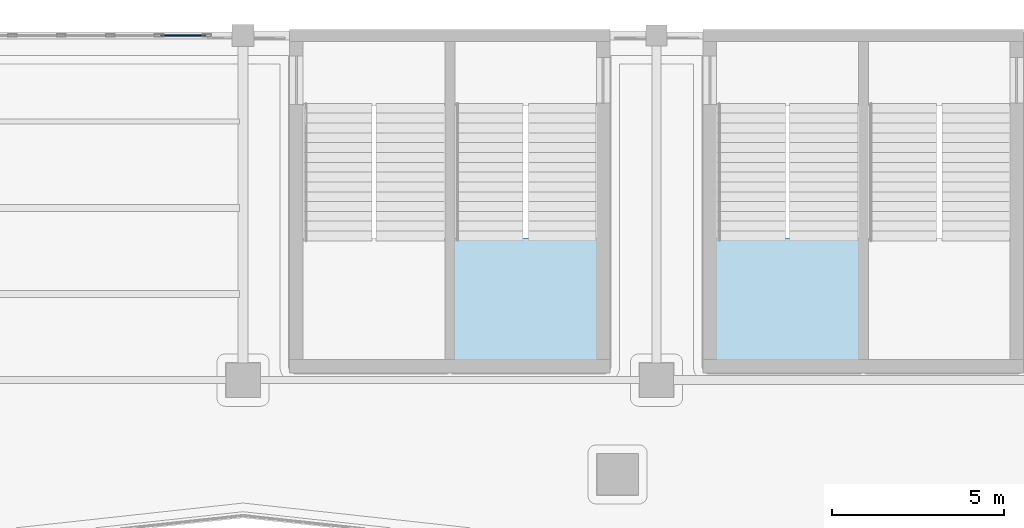
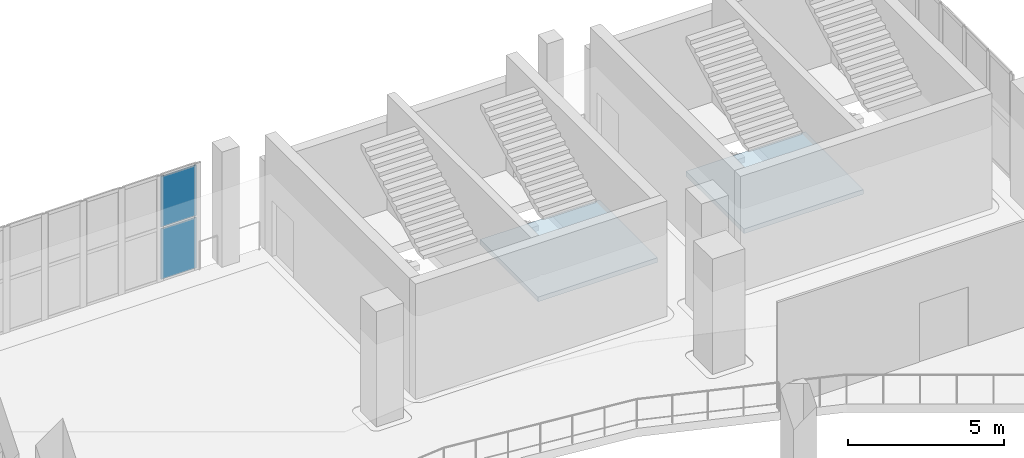
# One storey, part 73 of 108: 2 plates, 2 slabs, 3 elements without a shape of their own.
"""IFC4 building model written with IfcOpenShell, lengths in metres."""

from ifc_helpers import new_model, si_unit, direction, frame, origin, origin_2d, place, context, subcontext, project, spatial, polyline, rectangle, outline, extrude, material, layer, layer_set, type_object, element, aggregate, save


model = new_model("IFC4")

# Units and contexts
model_context = context("Model", 3, precision=1e-05, world=origin(), true_north=direction((0.0, 1.0)))
body_context = subcontext(model_context, "Body", "Model", "MODEL_VIEW")
ifc_project = project(units=[si_unit("LENGTHUNIT", "METRE"), si_unit("AREAUNIT", "SQUARE_METRE"), si_unit("VOLUMEUNIT", "CUBIC_METRE"), si_unit("PLANEANGLEUNIT", "RADIAN"), si_unit("MASSUNIT", "GRAM", prefix="KILO")], contexts=[model_context])

# Site, building, storey
site_placement = place(None, origin())
site = spatial("IfcSite", under=ifc_project, at=site_placement, CompositionType="ELEMENT")
building_placement = place(site_placement, origin())
building = spatial("IfcBuilding", under=site, at=building_placement, Name="Brinegate Civic Arena", CompositionType="ELEMENT")
storey_placement = place(building_placement, frame((0.0, 0.0, 10.199951171875)))
storey = spatial("IfcBuildingStorey", under=building, at=storey_placement, Name="L02", CompositionType="ELEMENT", Elevation=10.199951171875)

# Curtain wall, plates
ifc_material_1 = material(Name="Marine grade aluminium", Category="aluminium")
ifc_layer_1 = layer(ifc_material_1, 0.235107421875, Name="Marine grade aluminium")
ifc_layer_set_1 = layer_set([ifc_layer_1], Name="Marine grade aluminium")
curtain_wall_type = type_object("IfcCurtainWallType", Name="CW-PORTAL-NORTH-01", PredefinedType="USERDEFINED", material=ifc_layer_set_1)
curtain_wall_placement = place(storey_placement, origin())
curtain_wall = element("IfcCurtainWall", 1, at=curtain_wall_placement, inside=storey, type_object=curtain_wall_type, Name="Curtain Wall CWA-098", ObjectType="PORTAL CURTAIN WALL", PredefinedType="USERDEFINED")
ifc_material_2 = material(Name="Hurricane laminated low-E glass", Category="glass")
ifc_layer_2 = layer(ifc_material_2, 0.035888671875, Name="Hurricane laminated low-E glass")
ifc_layer_set_2 = layer_set([ifc_layer_2], Name="Hurricane laminated low-E glass")
plate_type = type_object("IfcPlateType", Name="CW-PANEL-GLAZED-36", PredefinedType="CURTAIN_PANEL", material=ifc_layer_set_2)
plate_1_placement = place(storey_placement, frame((106.260986328125, 124.0, 0.06494140625), z_axis=(0.0, 0.0, 1.0), x_axis=(1.0, 0.0, 0.0)))
plate_1 = element("IfcPlate", 2, at=plate_1_placement, type_object=plate_type, Name="CWA-098 panel 7.1", PredefinedType="CURTAIN_PANEL", context=body_context, shape_type="SweptSolid", body=[
    extrude(rectangle(XDim=1.30810546875, YDim=0.035888671875, at=origin_2d()), origin(), (0.0, 0.0, 1.0), 1.9775390625),
])
plate_2_placement = place(storey_placement, frame((106.260986328125, 124.0, 2.107421875), z_axis=(0.0, 0.0, 1.0), x_axis=(1.0, 0.0, 0.0)))
plate_2 = element("IfcPlate", 3, at=plate_2_placement, type_object=plate_type, Name="CWA-098 panel 7.2", PredefinedType="CURTAIN_PANEL", context=body_context, shape_type="SweptSolid", body=[
    extrude(rectangle(XDim=1.30810546875, YDim=0.035888671875, at=origin_2d()), origin(), (0.0, 0.0, 1.0), 1.9775390625),
])
aggregate(curtain_wall, [plate_1, plate_2])

# Stair, slab
ifc_material_3 = material(Name="Concrete C40/50", Category="concrete")
stair_type_1 = type_object("IfcStairType", Name="STAIR-EXIT-3850", PredefinedType="HALF_TURN_STAIR", material=ifc_material_3)
stair_1_placement = place(storey_placement, origin())
stair_1 = element("IfcStair", 4, at=stair_1_placement, inside=storey, type_object=stair_type_1, Name="Protected Exit Stair ST-03A (L02)", PredefinedType="HALF_TURN_STAIR")
ifc_layer_3 = layer(ifc_material_3, 0.179931640625, Name="Concrete C40/50")
ifc_layer_set_3 = layer_set([ifc_layer_3], Name="Concrete C40/50")
slab_type = type_object("IfcSlabType", Name="SLAB-LANDING-180", PredefinedType="LANDING", material=ifc_layer_set_3)
slab_1_placement = place(storey_placement, frame((0.0, 0.0, 2.070068359375)))
slab_1 = element("IfcSlab", 5, at=slab_1_placement, type_object=slab_type, Name="ST-03A landing 1", PredefinedType="LANDING", context=body_context, shape_type="SweptSolid", body=[
    extrude(outline(polyline([(121.594970703125, 114.39990234375), (126.0048828125, 114.39990234375), (126.0048828125, 118.1201171875), (121.594970703125, 118.1201171875), (121.594970703125, 114.39990234375)])), origin(), (0.0, 0.0, 1.0), 0.179931640625),
])
aggregate(stair_1, [slab_1])

stair_type_2 = type_object("IfcStairType", Name="STAIR-EXIT-3700", PredefinedType="HALF_TURN_STAIR", material=ifc_material_3)
stair_2_placement = place(storey_placement, origin())
stair_2 = element("IfcStair", 6, at=stair_2_placement, inside=storey, type_object=stair_type_2, Name="Protected Exit Stair ST-15B (L02)", PredefinedType="HALF_TURN_STAIR")
slab_2_placement = place(storey_placement, frame((0.0, 0.0, 2.070068359375)))
slab_2 = element("IfcSlab", 7, at=slab_2_placement, type_object=slab_type, Name="ST-15B landing 1", PredefinedType="LANDING", context=body_context, shape_type="SweptSolid", body=[
    extrude(outline(polyline([(113.9951171875, 114.39990234375), (118.405029296875, 114.39990234375), (118.405029296875, 118.1201171875), (113.9951171875, 118.1201171875), (113.9951171875, 114.39990234375)])), origin(), (0.0, 0.0, 1.0), 0.179931640625),
])
aggregate(stair_2, [slab_2])

save(model, "model.ifc")
